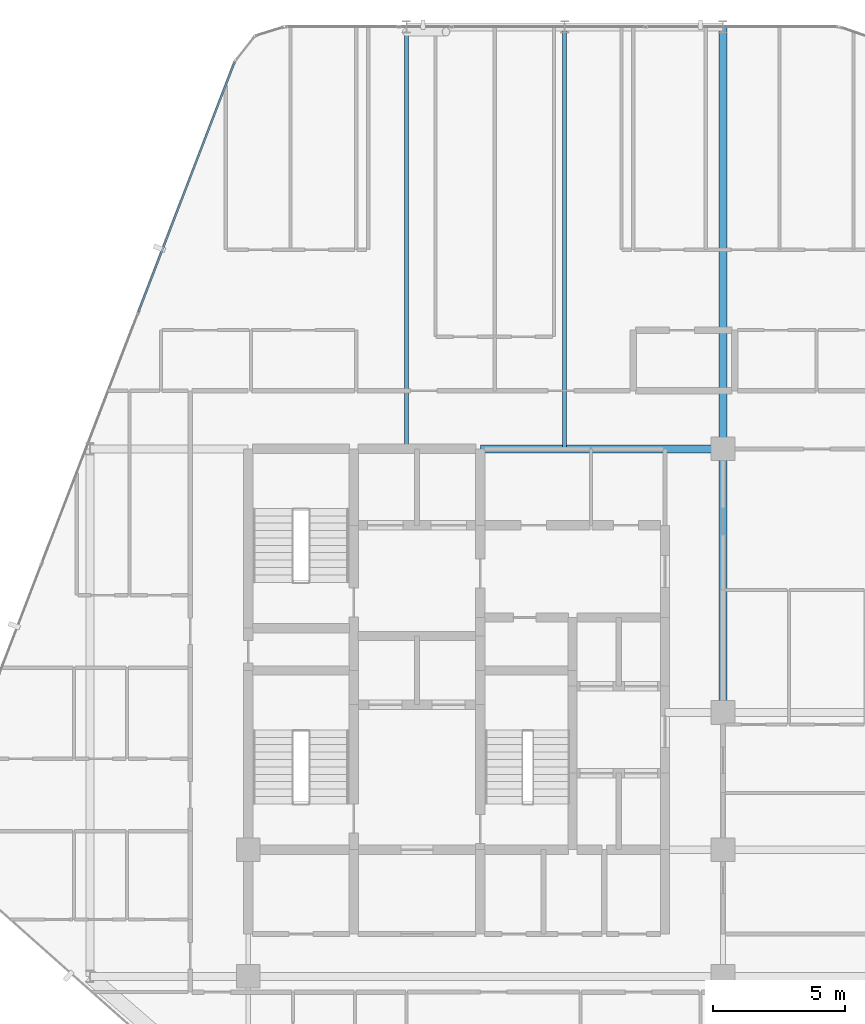
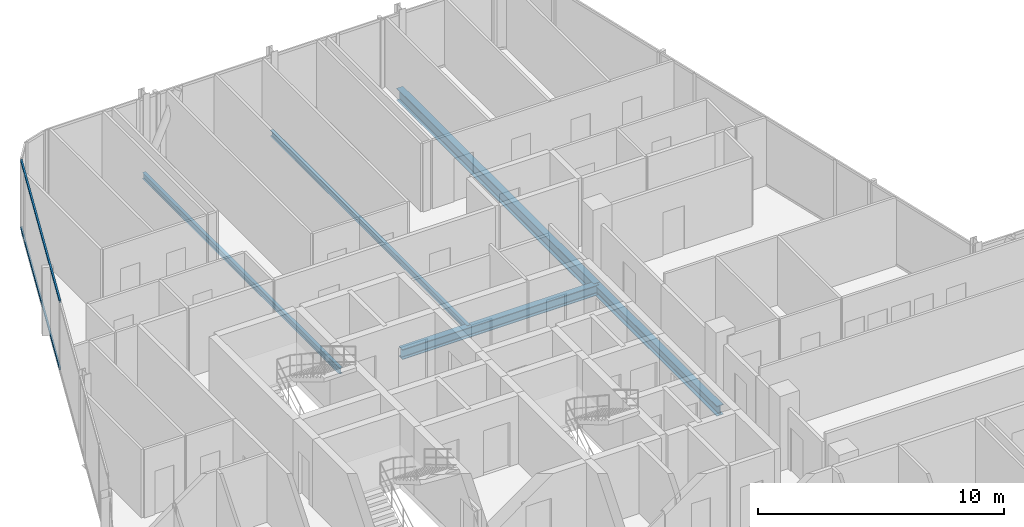
# One storey, part 17 of 29: 5 beams, 2 members, 1 element without a shape of its own.
"""IFC4 building model written with IfcOpenShell, lengths in metres."""

from ifc_helpers import new_model, si_unit, direction, frame, origin, origin_2d, place, context, subcontext, project, spatial, hollow_rectangle, i_section, extrude, material, layer, layer_set, material_profile, profile_set, type_object, element, aggregate, save


model = new_model("IFC4")

# Units and contexts
model_context = context("Model", 3, precision=1e-05, world=origin(), true_north=direction((0.0, 1.0)))
body_context = subcontext(model_context, "Body", "Model", "MODEL_VIEW")
ifc_project = project(units=[si_unit("LENGTHUNIT", "METRE"), si_unit("AREAUNIT", "SQUARE_METRE"), si_unit("VOLUMEUNIT", "CUBIC_METRE"), si_unit("PLANEANGLEUNIT", "RADIAN"), si_unit("MASSUNIT", "GRAM", prefix="KILO")], contexts=[model_context])

# Site, building, storey
site_placement = place(None, origin())
site = spatial("IfcSite", under=ifc_project, at=site_placement, CompositionType="ELEMENT")
building_placement = place(site_placement, origin())
building = spatial("IfcBuilding", under=site, at=building_placement, Name="Keshet Zoharim Tower", CompositionType="ELEMENT")
storey_placement = place(building_placement, frame((0.0, 0.0, 203.199951171875)))
storey = spatial("IfcBuildingStorey", under=building, at=storey_placement, Name="L50", CompositionType="ELEMENT", Elevation=203.199951171875)

# Beams
ifc_material_1 = material(Name="Steel S355", Category="steel")
ifc_material_profile_1 = material_profile(ifc_material_1, i_section(OverallWidth=0.14990234375, OverallDepth=0.300048828125, WebThickness=0.007080078125, FlangeThickness=0.0107421875, FilletRadius=0.014892578125, at=origin_2d()), Name="IPE300")
ifc_profile_set_1 = profile_set([ifc_material_profile_1], Name="Steel S355")
beam_type_1 = type_object("IfcBeamType", Name="BM-JST-IP300", PredefinedType="JOIST", material=ifc_profile_set_1)
for number, where, z_axis, x_axis, name in (
    (1, (21.0, 37.89990234375, -0.4599609375), (0.0, 1.0, 0.0), (-1.0, 0.0, 0.0), "L50 Secondary Floor Joist J-001"),
    (2, (27.0, 37.89990234375, -0.4599609375), (0.0, 1.0, 0.0), (-1.0, 0.0, 0.0), "L50 Secondary Floor Joist J-002"),
):
    element("IfcBeam", number, at=place(storey_placement, frame(where, z_axis=z_axis, x_axis=x_axis)), inside=storey, type_object=beam_type_1, Name=name, PredefinedType="JOIST", context=body_context, shape_type="SweptSolid", body=[
        extrude(i_section(OverallWidth=0.14990234375, OverallDepth=0.300048828125, WebThickness=0.007080078125, FlangeThickness=0.0107421875, FilletRadius=0.014892578125, at=origin_2d()), origin(), (0.0, 0.0, 1.0), 16.0),
    ])
ifc_material_profile_2 = material_profile(ifc_material_1, i_section(OverallWidth=0.300048828125, OverallDepth=0.60009765625, WebThickness=0.015380859375, FlangeThickness=0.030029296875, FilletRadius=0.027099609375, at=origin_2d()), Name="HEB600")
ifc_profile_set_2 = profile_set([ifc_material_profile_2], Name="Steel S355")
beam_type_2 = type_object("IfcBeamType", Name="BM-LNG-HB600", PredefinedType="BEAM", material=ifc_profile_set_2)
beam_1_placement = place(storey_placement, frame((33.0, 37.89990234375, -0.60986328125), z_axis=(0.0, 1.0, 0.0), x_axis=(-1.0, 0.0, 0.0)))
element("IfcBeam", 3, at=beam_1_placement, inside=storey, type_object=beam_type_2, Name="L50 Primary Girder Y-011", PredefinedType="BEAM", context=body_context, shape_type="SweptSolid", body=[
    extrude(i_section(OverallWidth=0.300048828125, OverallDepth=0.60009765625, WebThickness=0.015380859375, FlangeThickness=0.030029296875, FilletRadius=0.027099609375, at=origin_2d()), origin(), (0.0, 0.0, 1.0), 16.0),
])
ifc_material_profile_3 = material_profile(ifc_material_1, i_section(OverallWidth=0.300048828125, OverallDepth=0.5, WebThickness=0.014404296875, FlangeThickness=0.028076171875, FilletRadius=0.027099609375, at=origin_2d()), Name="HEB500")
ifc_profile_set_3 = profile_set([ifc_material_profile_3], Name="Steel S355")
beam_type_3 = type_object("IfcBeamType", Name="BM-MED-HB500", PredefinedType="BEAM", material=ifc_profile_set_3)
beam_2_placement = place(storey_placement, frame((23.800048828125, 37.89990234375, -0.56005859375), z_axis=(1.0, 0.0, 0.0), x_axis=(0.0, 1.0, 0.0)))
element("IfcBeam", 4, at=beam_2_placement, inside=storey, type_object=beam_type_3, Name="L50 Primary Girder X-018", PredefinedType="BEAM", context=body_context, shape_type="SweptSolid", body=[
    extrude(i_section(OverallWidth=0.300048828125, OverallDepth=0.5, WebThickness=0.014404296875, FlangeThickness=0.028076171875, FilletRadius=0.027099609375, at=origin_2d()), origin(), (0.0, 0.0, 1.0), 9.199951171875),
])
beam_3_placement = place(storey_placement, frame((33.0, 27.89990234375, -0.56005859375), z_axis=(0.0, 1.0, 0.0), x_axis=(-1.0, 0.0, 0.0)))
element("IfcBeam", 5, at=beam_3_placement, inside=storey, type_object=beam_type_3, Name="L50 Primary Girder Y-010", PredefinedType="BEAM", context=body_context, shape_type="SweptSolid", body=[
    extrude(i_section(OverallWidth=0.300048828125, OverallDepth=0.5, WebThickness=0.014404296875, FlangeThickness=0.028076171875, FilletRadius=0.027099609375, at=origin_2d()), origin(), (0.0, 0.0, 1.0), 10.0),
])

# Curtain wall, members
ifc_material_2 = material(Name="Aluminium 6063-T6", Category="aluminium")
ifc_layer = layer(ifc_material_2, 0.139892578125)
ifc_layer_set = layer_set([ifc_layer], Name="Aluminium 6063-T6")
curtain_wall_type = type_object("IfcCurtainWallType", Name="CW-SYS-05", PredefinedType="NOTDEFINED", material=ifc_layer_set)
curtain_wall_placement = place(storey_placement, origin())
curtain_wall = element("IfcCurtainWall", 6, at=curtain_wall_placement, inside=storey, type_object=curtain_wall_type, Name="L50 Unitised Curtain Wall 13", PredefinedType="NOTDEFINED")
ifc_material_profile_4 = material_profile(ifc_material_2, hollow_rectangle(XDim=0.074951171875, YDim=0.1201171875, WallThickness=0.00390625, at=origin_2d()), Name="TRN-75x120")
ifc_profile_set_4 = profile_set([ifc_material_profile_4], Name="Aluminium 6063-T6")
member_type = type_object("IfcMemberType", Name="CWT-T12", PredefinedType="USERDEFINED", material=ifc_profile_set_4)
member_1_placement = place(storey_placement, frame((10.849609375, 43.10888671875, 0.03515625), z_axis=(0.358985546764, 0.933343118694, 0.0), x_axis=(-0.933343118694, 0.358985546764, 0.0)))
member_1 = element("IfcMember", 7, at=member_1_placement, type_object=member_type, Name="CW-05 transom 3.1", ObjectType="TRANSOM", PredefinedType="USERDEFINED", context=body_context, shape_type="SweptSolid", body=[
    extrude(hollow_rectangle(XDim=0.074951171875, YDim=0.1201171875, WallThickness=0.00390625, at=origin_2d()), origin(), (0.0, 0.0, 1.0), 10.118408203125),
])
member_2_placement = place(storey_placement, frame((10.849609375, 43.10888671875, 3.35498046875), z_axis=(0.358985546764, 0.933343118694, 0.0), x_axis=(-0.933343118694, 0.358985546764, 0.0)))
member_2 = element("IfcMember", 8, at=member_2_placement, type_object=member_type, Name="CW-05 transom 3.2", ObjectType="TRANSOM", PredefinedType="USERDEFINED", context=body_context, shape_type="SweptSolid", body=[
    extrude(hollow_rectangle(XDim=0.074951171875, YDim=0.1201171875, WallThickness=0.00390625, at=origin_2d()), origin(), (0.0, 0.0, 1.0), 10.118408203125),
])
aggregate(curtain_wall, [member_1, member_2])

save(model, "model.ifc")
